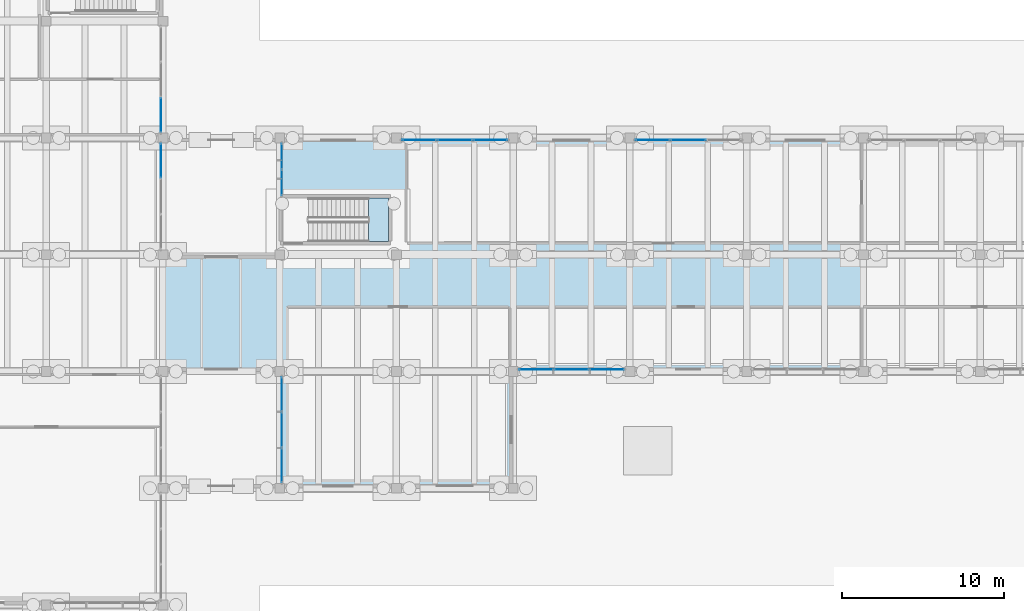
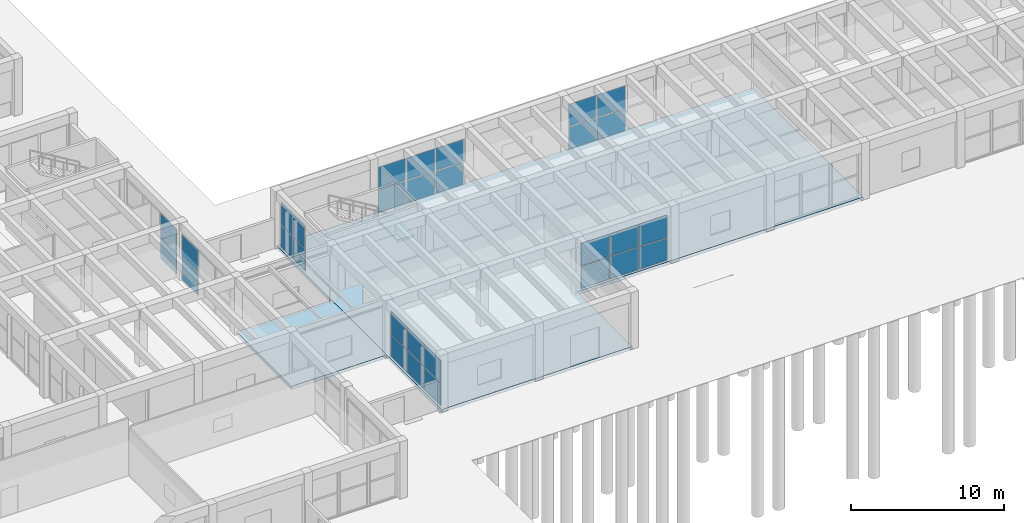
# One storey, part 112 of 155: 30 plates, 3 slabs, 8 elements without a shape of their own.
"""IFC4 building model written with IfcOpenShell, lengths in metres."""

from ifc_helpers import new_model, si_unit, direction, frame, origin, origin_2d, place, context, subcontext, project, spatial, polyline, rectangle, outline, extrude, material, layer, layer_set, type_object, element, aggregate, save


model = new_model("IFC4")

# Units and contexts
model_context = context("Model", 3, precision=1e-05, world=origin(), true_north=direction((0.0, 1.0)))
body_context = subcontext(model_context, "Body", "Model", "MODEL_VIEW")
ifc_project = project(units=[si_unit("LENGTHUNIT", "METRE"), si_unit("AREAUNIT", "SQUARE_METRE"), si_unit("VOLUMEUNIT", "CUBIC_METRE"), si_unit("PLANEANGLEUNIT", "RADIAN"), si_unit("MASSUNIT", "GRAM", prefix="KILO")], contexts=[model_context])

# Site, building, storey
site_placement = place(None, origin())
site = spatial("IfcSite", under=ifc_project, at=site_placement, CompositionType="ELEMENT")
building_placement = place(site_placement, origin())
building = spatial("IfcBuilding", under=site, at=building_placement, Name="Bramvelor Terrace Health Centre", CompositionType="ELEMENT")
storey_placement = place(building_placement, origin())
storey = spatial("IfcBuildingStorey", under=building, at=storey_placement, Name="L01", CompositionType="ELEMENT", Elevation=0.0)

# Curtain wall, plates
ifc_material_1 = material(Name="Anodized aluminium and double low-E glass", Category="aluminium")
curtain_wall_type_1 = type_object("IfcCurtainWallType", Name="CW-SYS-02", PredefinedType="NOTDEFINED", material=ifc_material_1)
curtain_wall_1_placement = place(storey_placement, origin())
curtain_wall_1 = element("IfcCurtainWall", 1, at=curtain_wall_1_placement, inside=storey, type_object=curtain_wall_type_1, Name="L01 Unitized Curtain Wall 34", PredefinedType="NOTDEFINED")
ifc_material_2 = material(Name="Double low-E laminated glass", Category="glass")
ifc_layer_1 = layer(ifc_material_2, 0.028076171875)
ifc_layer_set_1 = layer_set([ifc_layer_1], Name="Double low-E laminated glass")
plate_type = type_object("IfcPlateType", Name="CW-PNL-GLZ28", PredefinedType="CURTAIN_PANEL", material=ifc_layer_set_1)
plate_1_placement = place(storey_placement, frame((93.469970703125, 66.21533203125, 0.06494140625), z_axis=(0.0, 0.0, 1.0), x_axis=(0.0, -1.0, 0.0)))
plate_1 = element("IfcPlate", 2, at=plate_1_placement, type_object=plate_type, Name="CW-02 panel 3.1", PredefinedType="CURTAIN_PANEL", context=body_context, shape_type="SweptSolid", body=[
    extrude(rectangle(XDim=2.0908203125, YDim=0.028076171875, at=origin_2d()), origin(), (0.0, 0.0, 1.0), 1.762451171875),
])
plate_2_placement = place(storey_placement, frame((93.469970703125, 66.21533203125, 1.892578125), z_axis=(0.0, 0.0, 1.0), x_axis=(0.0, -1.0, 0.0)))
plate_2 = element("IfcPlate", 3, at=plate_2_placement, type_object=plate_type, Name="CW-02 panel 3.2", PredefinedType="CURTAIN_PANEL", context=body_context, shape_type="SweptSolid", body=[
    extrude(rectangle(XDim=2.0908203125, YDim=0.028076171875, at=origin_2d()), origin(), (0.0, 0.0, 1.0), 1.762451171875),
])
aggregate(curtain_wall_1, [plate_1, plate_2])

curtain_wall_2_placement = place(storey_placement, origin())
curtain_wall_2 = element("IfcCurtainWall", 4, at=curtain_wall_2_placement, inside=storey, type_object=curtain_wall_type_1, Name="L01 Unitized Curtain Wall 35", PredefinedType="NOTDEFINED")
plate_3_placement = place(storey_placement, frame((93.469970703125, 63.384521484375, 0.06494140625), z_axis=(0.0, 0.0, 1.0), x_axis=(0.0, -1.0, 0.0)))
plate_3 = element("IfcPlate", 5, at=plate_3_placement, type_object=plate_type, Name="CW-02 panel 1.1", PredefinedType="CURTAIN_PANEL", context=body_context, shape_type="SweptSolid", body=[
    extrude(rectangle(XDim=2.0908203125, YDim=0.028076171875, at=origin_2d()), origin(), (0.0, 0.0, 1.0), 1.762451171875),
])
plate_4_placement = place(storey_placement, frame((93.469970703125, 63.384521484375, 1.892578125), z_axis=(0.0, 0.0, 1.0), x_axis=(0.0, -1.0, 0.0)))
plate_4 = element("IfcPlate", 6, at=plate_4_placement, type_object=plate_type, Name="CW-02 panel 1.2", PredefinedType="CURTAIN_PANEL", context=body_context, shape_type="SweptSolid", body=[
    extrude(rectangle(XDim=2.0908203125, YDim=0.028076171875, at=origin_2d()), origin(), (0.0, 0.0, 1.0), 1.762451171875),
])
aggregate(curtain_wall_2, [plate_3, plate_4])

ifc_material_3 = material(Name="Anodized aluminium and double low-E glass", Category="aluminium")
curtain_wall_type_2 = type_object("IfcCurtainWallType", Name="CW-SYS-06", PredefinedType="NOTDEFINED", material=ifc_material_3)
curtain_wall_3_placement = place(storey_placement, origin())
curtain_wall_3 = element("IfcCurtainWall", 7, at=curtain_wall_3_placement, inside=storey, type_object=curtain_wall_type_2, Name="L01 Unitized Curtain Wall 36", PredefinedType="NOTDEFINED")
plate_5_placement = place(storey_placement, frame((100.929931640625, 62.044921875, 0.06494140625), z_axis=(0.0, 0.0, 1.0), x_axis=(0.0, 1.0, 0.0)))
plate_5 = element("IfcPlate", 8, at=plate_5_placement, type_object=plate_type, Name="CW-06 panel 1.1", PredefinedType="CURTAIN_PANEL", context=body_context, shape_type="SweptSolid", body=[
    extrude(rectangle(XDim=1.5400390625, YDim=0.028076171875, at=origin_2d()), origin(), (0.0, 0.0, 1.0), 1.762451171875),
])
plate_6_placement = place(storey_placement, frame((100.929931640625, 62.044921875, 1.892578125), z_axis=(0.0, 0.0, 1.0), x_axis=(0.0, 1.0, 0.0)))
plate_6 = element("IfcPlate", 9, at=plate_6_placement, type_object=plate_type, Name="CW-06 panel 1.2", PredefinedType="CURTAIN_PANEL", context=body_context, shape_type="SweptSolid", body=[
    extrude(rectangle(XDim=1.5400390625, YDim=0.028076171875, at=origin_2d()), origin(), (0.0, 0.0, 1.0), 1.762451171875),
])
plate_7_placement = place(storey_placement, frame((100.929931640625, 63.659912109375, 0.06494140625), z_axis=(0.0, 0.0, 1.0), x_axis=(0.0, 1.0, 0.0)))
plate_7 = element("IfcPlate", 10, at=plate_7_placement, type_object=plate_type, Name="CW-06 panel 2.1", PredefinedType="CURTAIN_PANEL", context=body_context, shape_type="SweptSolid", body=[
    extrude(rectangle(XDim=1.5400390625, YDim=0.028076171875, at=origin_2d()), origin(), (0.0, 0.0, 1.0), 1.762451171875),
])
plate_8_placement = place(storey_placement, frame((100.929931640625, 63.659912109375, 1.892578125), z_axis=(0.0, 0.0, 1.0), x_axis=(0.0, 1.0, 0.0)))
plate_8 = element("IfcPlate", 11, at=plate_8_placement, type_object=plate_type, Name="CW-06 panel 2.2", PredefinedType="CURTAIN_PANEL", context=body_context, shape_type="SweptSolid", body=[
    extrude(rectangle(XDim=1.5400390625, YDim=0.028076171875, at=origin_2d()), origin(), (0.0, 0.0, 1.0), 1.762451171875),
])
aggregate(curtain_wall_3, [plate_5, plate_6, plate_7, plate_8])

curtain_wall_4_placement = place(storey_placement, origin())
curtain_wall_4 = element("IfcCurtainWall", 12, at=curtain_wall_4_placement, inside=storey, type_object=curtain_wall_type_1, Name="L01 Unitized Curtain Wall 37", PredefinedType="NOTDEFINED")
plate_9_placement = place(storey_placement, frame((109.41552734375, 64.669921875, 0.06494140625), z_axis=(0.0, 0.0, 1.0), x_axis=(1.0, 0.0, 0.0)))
plate_9 = element("IfcPlate", 13, at=plate_9_placement, type_object=plate_type, Name="CW-02 panel 1.1", PredefinedType="CURTAIN_PANEL", context=body_context, shape_type="SweptSolid", body=[
    extrude(rectangle(XDim=2.0908203125, YDim=0.028076171875, at=origin_2d()), origin(), (0.0, 0.0, 1.0), 1.762451171875),
])
plate_10_placement = place(storey_placement, frame((109.41552734375, 64.669921875, 1.892578125), z_axis=(0.0, 0.0, 1.0), x_axis=(1.0, 0.0, 0.0)))
plate_10 = element("IfcPlate", 14, at=plate_10_placement, type_object=plate_type, Name="CW-02 panel 1.2", PredefinedType="CURTAIN_PANEL", context=body_context, shape_type="SweptSolid", body=[
    extrude(rectangle(XDim=2.0908203125, YDim=0.028076171875, at=origin_2d()), origin(), (0.0, 0.0, 1.0), 1.762451171875),
])
plate_11_placement = place(storey_placement, frame((111.60009765625, 64.669921875, 0.06494140625), z_axis=(0.0, 0.0, 1.0), x_axis=(1.0, 0.0, 0.0)))
plate_11 = element("IfcPlate", 15, at=plate_11_placement, type_object=plate_type, Name="CW-02 panel 2.1", PredefinedType="CURTAIN_PANEL", context=body_context, shape_type="SweptSolid", body=[
    extrude(rectangle(XDim=2.12841796875, YDim=0.028076171875, at=origin_2d()), origin(), (0.0, 0.0, 1.0), 1.762451171875),
])
plate_12_placement = place(storey_placement, frame((111.60009765625, 64.669921875, 1.892578125), z_axis=(0.0, 0.0, 1.0), x_axis=(1.0, 0.0, 0.0)))
plate_12 = element("IfcPlate", 16, at=plate_12_placement, type_object=plate_type, Name="CW-02 panel 2.2", PredefinedType="CURTAIN_PANEL", context=body_context, shape_type="SweptSolid", body=[
    extrude(rectangle(XDim=2.12841796875, YDim=0.028076171875, at=origin_2d()), origin(), (0.0, 0.0, 1.0), 1.762451171875),
])
plate_13_placement = place(storey_placement, frame((113.78466796875, 64.669921875, 0.06494140625), z_axis=(0.0, 0.0, 1.0), x_axis=(1.0, 0.0, 0.0)))
plate_13 = element("IfcPlate", 17, at=plate_13_placement, type_object=plate_type, Name="CW-02 panel 3.1", PredefinedType="CURTAIN_PANEL", context=body_context, shape_type="SweptSolid", body=[
    extrude(rectangle(XDim=2.0908203125, YDim=0.028076171875, at=origin_2d()), origin(), (0.0, 0.0, 1.0), 1.762451171875),
])
plate_14_placement = place(storey_placement, frame((113.78466796875, 64.669921875, 1.892578125), z_axis=(0.0, 0.0, 1.0), x_axis=(1.0, 0.0, 0.0)))
plate_14 = element("IfcPlate", 18, at=plate_14_placement, type_object=plate_type, Name="CW-02 panel 3.2", PredefinedType="CURTAIN_PANEL", context=body_context, shape_type="SweptSolid", body=[
    extrude(rectangle(XDim=2.0908203125, YDim=0.028076171875, at=origin_2d()), origin(), (0.0, 0.0, 1.0), 1.762451171875),
])
aggregate(curtain_wall_4, [plate_9, plate_10, plate_11, plate_12, plate_13, plate_14])

curtain_wall_5_placement = place(storey_placement, origin())
curtain_wall_5 = element("IfcCurtainWall", 19, at=curtain_wall_5_placement, inside=storey, type_object=curtain_wall_type_1, Name="L01 Unitized Curtain Wall 38", PredefinedType="NOTDEFINED")
plate_15_placement = place(storey_placement, frame((123.8154296875, 64.669921875, 0.06494140625), z_axis=(0.0, 0.0, 1.0), x_axis=(1.0, 0.0, 0.0)))
plate_15 = element("IfcPlate", 20, at=plate_15_placement, type_object=plate_type, Name="CW-02 panel 1.1", PredefinedType="CURTAIN_PANEL", context=body_context, shape_type="SweptSolid", body=[
    extrude(rectangle(XDim=2.0908203125, YDim=0.028076171875, at=origin_2d()), origin(), (0.0, 0.0, 1.0), 1.762451171875),
])
plate_16_placement = place(storey_placement, frame((123.8154296875, 64.669921875, 1.892578125), z_axis=(0.0, 0.0, 1.0), x_axis=(1.0, 0.0, 0.0)))
plate_16 = element("IfcPlate", 21, at=plate_16_placement, type_object=plate_type, Name="CW-02 panel 1.2", PredefinedType="CURTAIN_PANEL", context=body_context, shape_type="SweptSolid", body=[
    extrude(rectangle(XDim=2.0908203125, YDim=0.028076171875, at=origin_2d()), origin(), (0.0, 0.0, 1.0), 1.762451171875),
])
plate_17_placement = place(storey_placement, frame((126.0, 64.669921875, 0.06494140625), z_axis=(0.0, 0.0, 1.0), x_axis=(1.0, 0.0, 0.0)))
plate_17 = element("IfcPlate", 22, at=plate_17_placement, type_object=plate_type, Name="CW-02 panel 2.1", PredefinedType="CURTAIN_PANEL", context=body_context, shape_type="SweptSolid", body=[
    extrude(rectangle(XDim=2.12841796875, YDim=0.028076171875, at=origin_2d()), origin(), (0.0, 0.0, 1.0), 1.762451171875),
])
plate_18_placement = place(storey_placement, frame((126.0, 64.669921875, 1.892578125), z_axis=(0.0, 0.0, 1.0), x_axis=(1.0, 0.0, 0.0)))
plate_18 = element("IfcPlate", 23, at=plate_18_placement, type_object=plate_type, Name="CW-02 panel 2.2", PredefinedType="CURTAIN_PANEL", context=body_context, shape_type="SweptSolid", body=[
    extrude(rectangle(XDim=2.12841796875, YDim=0.028076171875, at=origin_2d()), origin(), (0.0, 0.0, 1.0), 1.762451171875),
])
aggregate(curtain_wall_5, [plate_15, plate_16, plate_17, plate_18])

curtain_wall_6_placement = place(storey_placement, origin())
curtain_wall_6 = element("IfcCurtainWall", 24, at=curtain_wall_6_placement, inside=storey, type_object=curtain_wall_type_1, Name="L01 Unitized Curtain Wall 44", PredefinedType="NOTDEFINED")
plate_19_placement = place(storey_placement, frame((120.984619140625, 50.530029296875, 0.06494140625), z_axis=(0.0, 0.0, 1.0), x_axis=(-1.0, 0.0, 0.0)))
plate_19 = element("IfcPlate", 25, at=plate_19_placement, type_object=plate_type, Name="CW-02 panel 1.1", PredefinedType="CURTAIN_PANEL", context=body_context, shape_type="SweptSolid", body=[
    extrude(rectangle(XDim=2.0908203125, YDim=0.028076171875, at=origin_2d()), origin(), (0.0, 0.0, 1.0), 1.762451171875),
])
plate_20_placement = place(storey_placement, frame((120.984619140625, 50.530029296875, 1.892578125), z_axis=(0.0, 0.0, 1.0), x_axis=(-1.0, 0.0, 0.0)))
plate_20 = element("IfcPlate", 26, at=plate_20_placement, type_object=plate_type, Name="CW-02 panel 1.2", PredefinedType="CURTAIN_PANEL", context=body_context, shape_type="SweptSolid", body=[
    extrude(rectangle(XDim=2.0908203125, YDim=0.028076171875, at=origin_2d()), origin(), (0.0, 0.0, 1.0), 1.762451171875),
])
plate_21_placement = place(storey_placement, frame((118.800048828125, 50.530029296875, 0.06494140625), z_axis=(0.0, 0.0, 1.0), x_axis=(-1.0, 0.0, 0.0)))
plate_21 = element("IfcPlate", 27, at=plate_21_placement, type_object=plate_type, Name="CW-02 panel 2.1", PredefinedType="CURTAIN_PANEL", context=body_context, shape_type="SweptSolid", body=[
    extrude(rectangle(XDim=2.12841796875, YDim=0.028076171875, at=origin_2d()), origin(), (0.0, 0.0, 1.0), 1.762451171875),
])
plate_22_placement = place(storey_placement, frame((118.800048828125, 50.530029296875, 1.892578125), z_axis=(0.0, 0.0, 1.0), x_axis=(-1.0, 0.0, 0.0)))
plate_22 = element("IfcPlate", 28, at=plate_22_placement, type_object=plate_type, Name="CW-02 panel 2.2", PredefinedType="CURTAIN_PANEL", context=body_context, shape_type="SweptSolid", body=[
    extrude(rectangle(XDim=2.12841796875, YDim=0.028076171875, at=origin_2d()), origin(), (0.0, 0.0, 1.0), 1.762451171875),
])
plate_23_placement = place(storey_placement, frame((116.615478515625, 50.530029296875, 0.06494140625), z_axis=(0.0, 0.0, 1.0), x_axis=(-1.0, 0.0, 0.0)))
plate_23 = element("IfcPlate", 29, at=plate_23_placement, type_object=plate_type, Name="CW-02 panel 3.1", PredefinedType="CURTAIN_PANEL", context=body_context, shape_type="SweptSolid", body=[
    extrude(rectangle(XDim=2.0908203125, YDim=0.028076171875, at=origin_2d()), origin(), (0.0, 0.0, 1.0), 1.762451171875),
])
plate_24_placement = place(storey_placement, frame((116.615478515625, 50.530029296875, 1.892578125), z_axis=(0.0, 0.0, 1.0), x_axis=(-1.0, 0.0, 0.0)))
plate_24 = element("IfcPlate", 30, at=plate_24_placement, type_object=plate_type, Name="CW-02 panel 3.2", PredefinedType="CURTAIN_PANEL", context=body_context, shape_type="SweptSolid", body=[
    extrude(rectangle(XDim=2.0908203125, YDim=0.028076171875, at=origin_2d()), origin(), (0.0, 0.0, 1.0), 1.762451171875),
])
aggregate(curtain_wall_6, [plate_19, plate_20, plate_21, plate_22, plate_23, plate_24])

curtain_wall_7_placement = place(storey_placement, origin())
curtain_wall_7 = element("IfcCurtainWall", 31, at=curtain_wall_7_placement, inside=storey, type_object=curtain_wall_type_1, Name="L01 Unitized Curtain Wall 45", PredefinedType="NOTDEFINED")
plate_25_placement = place(storey_placement, frame((100.929931640625, 44.615478515625, 0.06494140625), z_axis=(0.0, 0.0, 1.0), x_axis=(0.0, 1.0, 0.0)))
plate_25 = element("IfcPlate", 32, at=plate_25_placement, type_object=plate_type, Name="CW-02 panel 1.1", PredefinedType="CURTAIN_PANEL", context=body_context, shape_type="SweptSolid", body=[
    extrude(rectangle(XDim=2.0908203125, YDim=0.028076171875, at=origin_2d()), origin(), (0.0, 0.0, 1.0), 1.762451171875),
])
plate_26_placement = place(storey_placement, frame((100.929931640625, 44.615478515625, 1.892578125), z_axis=(0.0, 0.0, 1.0), x_axis=(0.0, 1.0, 0.0)))
plate_26 = element("IfcPlate", 33, at=plate_26_placement, type_object=plate_type, Name="CW-02 panel 1.2", PredefinedType="CURTAIN_PANEL", context=body_context, shape_type="SweptSolid", body=[
    extrude(rectangle(XDim=2.0908203125, YDim=0.028076171875, at=origin_2d()), origin(), (0.0, 0.0, 1.0), 1.762451171875),
])
plate_27_placement = place(storey_placement, frame((100.929931640625, 46.800048828125, 0.06494140625), z_axis=(0.0, 0.0, 1.0), x_axis=(0.0, 1.0, 0.0)))
plate_27 = element("IfcPlate", 34, at=plate_27_placement, type_object=plate_type, Name="CW-02 panel 2.1", PredefinedType="CURTAIN_PANEL", context=body_context, shape_type="SweptSolid", body=[
    extrude(rectangle(XDim=2.12841796875, YDim=0.028076171875, at=origin_2d()), origin(), (0.0, 0.0, 1.0), 1.762451171875),
])
plate_28_placement = place(storey_placement, frame((100.929931640625, 46.800048828125, 1.892578125), z_axis=(0.0, 0.0, 1.0), x_axis=(0.0, 1.0, 0.0)))
plate_28 = element("IfcPlate", 35, at=plate_28_placement, type_object=plate_type, Name="CW-02 panel 2.2", PredefinedType="CURTAIN_PANEL", context=body_context, shape_type="SweptSolid", body=[
    extrude(rectangle(XDim=2.12841796875, YDim=0.028076171875, at=origin_2d()), origin(), (0.0, 0.0, 1.0), 1.762451171875),
])
plate_29_placement = place(storey_placement, frame((100.929931640625, 48.984619140625, 0.06494140625), z_axis=(0.0, 0.0, 1.0), x_axis=(0.0, 1.0, 0.0)))
plate_29 = element("IfcPlate", 36, at=plate_29_placement, type_object=plate_type, Name="CW-02 panel 3.1", PredefinedType="CURTAIN_PANEL", context=body_context, shape_type="SweptSolid", body=[
    extrude(rectangle(XDim=2.0908203125, YDim=0.028076171875, at=origin_2d()), origin(), (0.0, 0.0, 1.0), 1.762451171875),
])
plate_30_placement = place(storey_placement, frame((100.929931640625, 48.984619140625, 1.892578125), z_axis=(0.0, 0.0, 1.0), x_axis=(0.0, 1.0, 0.0)))
plate_30 = element("IfcPlate", 37, at=plate_30_placement, type_object=plate_type, Name="CW-02 panel 3.2", PredefinedType="CURTAIN_PANEL", context=body_context, shape_type="SweptSolid", body=[
    extrude(rectangle(XDim=2.0908203125, YDim=0.028076171875, at=origin_2d()), origin(), (0.0, 0.0, 1.0), 1.762451171875),
])
aggregate(curtain_wall_7, [plate_25, plate_26, plate_27, plate_28, plate_29, plate_30])

# Slabs
ifc_material_4 = material(Name="Concrete C40/50", Category="concrete")
ifc_layer_2 = layer(ifc_material_4, 0.25)
ifc_layer_set_2 = layer_set([ifc_layer_2], Name="Concrete C40/50")
slab_type_1 = type_object("IfcSlabType", Name="SLB-FLR-RC250", PredefinedType="FLOOR", material=ifc_layer_set_2)
slab_1_placement = place(storey_placement, frame((0.0, 0.0, -0.25)))
element("IfcSlab", 38, at=slab_1_placement, inside=storey, type_object=slab_type_1, Name="L01 LK_V1_V2 Floor Slab", PredefinedType="FLOOR", context=body_context, shape_type="SweptSolid", body=[
    extrude(outline(polyline([(100.800048828125, 50.39990234375), (100.800048828125, 57.60009765625), (93.60009765625, 57.60009765625), (93.60009765625, 50.39990234375), (100.800048828125, 50.39990234375)])), origin(), (0.0, 0.0, 1.0), 0.25),
])
slab_2_placement = place(storey_placement, frame((0.0, 0.0, -0.25)))
element("IfcSlab", 39, at=slab_2_placement, inside=storey, type_object=slab_type_1, Name="L01 V2_W Floor Slab", PredefinedType="FLOOR", context=body_context, shape_type="SweptSolid", body=[
    extrude(outline(polyline([(100.800048828125, 64.800048828125), (136.800048828125, 64.800048828125), (136.800048828125, 50.39990234375), (115.199951171875, 50.39990234375), (115.199951171875, 43.199951171875), (100.800048828125, 43.199951171875), (100.800048828125, 50.39990234375), (100.800048828125, 64.800048828125)])), origin(), (0.0, 0.0, 1.0), 0.25),
])

# Stair, slab
ifc_material_5 = material(Name="Concrete C40/50", Category="concrete")
stair_type = type_object("IfcStairType", Name="STR-SEC", PredefinedType="HALF_TURN_STAIR", material=ifc_material_5)
stair_placement = place(storey_placement, origin())
stair = element("IfcStair", 40, at=stair_placement, inside=storey, type_object=stair_type, Name="L01 West Day Surgery Exit Stair", PredefinedType="HALF_TURN_STAIR")
ifc_material_6 = material(Name="Concrete C40/50", Category="concrete")
ifc_layer_3 = layer(ifc_material_6, 0.199951171875)
ifc_layer_set_3 = layer_set([ifc_layer_3], Name="Concrete C40/50")
slab_type_2 = type_object("IfcSlabType", Name="SLB-LND-200", PredefinedType="LANDING", material=ifc_layer_set_3)
slab_3_placement = place(storey_placement, frame((0.0, 0.0, 2.199951171875)))
slab_3 = element("IfcSlab", 41, at=slab_3_placement, type_object=slab_type_2, Name="ST-5 landing 1", PredefinedType="LANDING", context=body_context, shape_type="SweptSolid", body=[
    extrude(outline(polyline([(106.27490234375, 58.39990234375), (107.52490234375, 58.39990234375), (107.52490234375, 61.10009765625), (106.27490234375, 61.10009765625), (106.27490234375, 58.39990234375)])), origin(), (0.0, 0.0, 1.0), 0.199951171875),
])
aggregate(stair, [slab_3])

save(model, "model.ifc")
